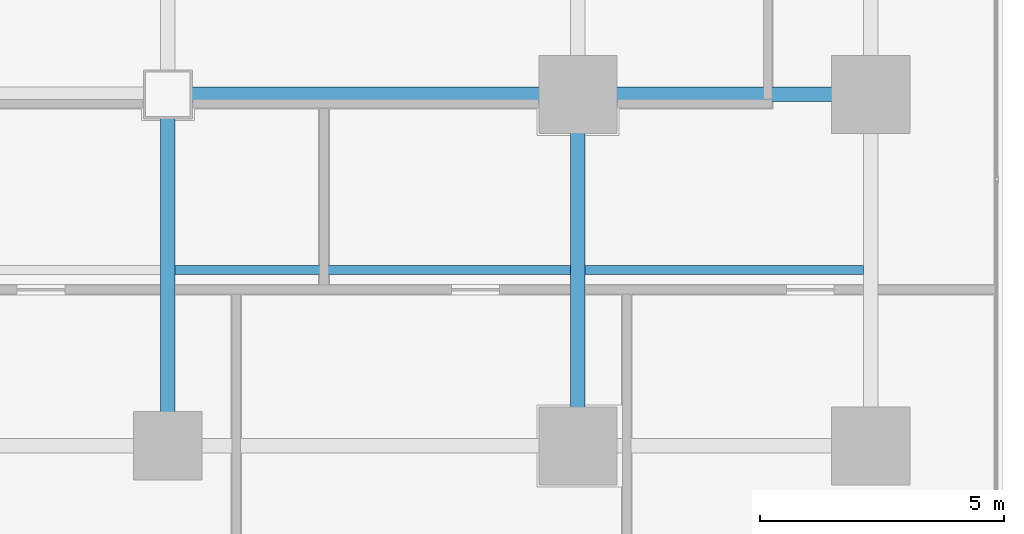
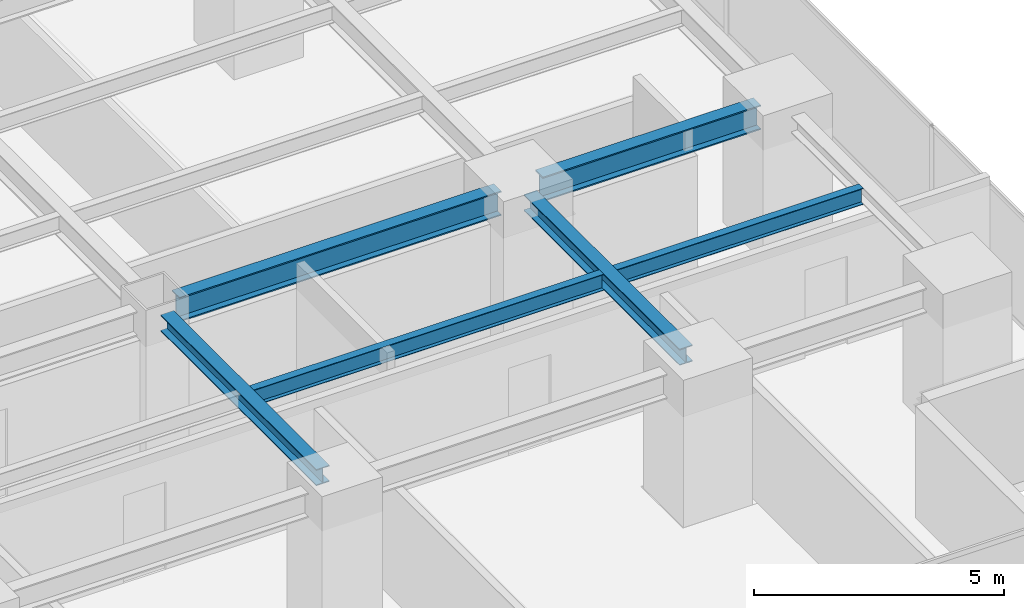
# One storey, part 13 of 37: 6 beams.
"""IFC4 building model written with IfcOpenShell, lengths in metres."""

from ifc_helpers import new_model, si_unit, direction, frame, origin, origin_2d, place, context, subcontext, project, spatial, i_section, extrude, source, transform, mapped, material, material_profile, profile_set, type_object, element, save


model = new_model("IFC4")

# Units and contexts
model_context = context("Model", 3, precision=1e-05, world=origin(), true_north=direction((0.0, 1.0)))
body_context = subcontext(model_context, "Body", "Model", "MODEL_VIEW")
ifc_project = project(units=[si_unit("LENGTHUNIT", "METRE"), si_unit("AREAUNIT", "SQUARE_METRE"), si_unit("VOLUMEUNIT", "CUBIC_METRE"), si_unit("PLANEANGLEUNIT", "RADIAN"), si_unit("MASSUNIT", "GRAM", prefix="KILO")], contexts=[model_context])

# Site, building, storey
site_placement = place(None, origin())
site = spatial("IfcSite", under=ifc_project, at=site_placement, CompositionType="ELEMENT")
building_placement = place(site_placement, origin())
building = spatial("IfcBuilding", under=site, at=building_placement, Name="Sumidabori Civic Tower", CompositionType="ELEMENT")
storey_placement = place(building_placement, frame((0.0, 0.0, 117.199951171875)))
storey = spatial("IfcBuildingStorey", under=building, at=storey_placement, Name="L30", CompositionType="ELEMENT", Elevation=117.199951171875)

# Beams
ifc_material = material(Name="Steel SN490", Category="steel")
ifc_material_profile_1 = material_profile(ifc_material, i_section(OverallWidth=0.300048828125, OverallDepth=0.60009765625, WebThickness=0.015380859375, FlangeThickness=0.030029296875, at=origin_2d()), Name="HE 600 B")
ifc_profile_set_1 = profile_set([ifc_material_profile_1], Name="Steel SN490")
beam_type_1 = type_object("IfcBeamType", Name="BM-GIRD-600", PredefinedType="BEAM", material=ifc_profile_set_1)
shared_shape_1 = source(origin(), body_context, "Body", "SweptSolid", [
    extrude(i_section(OverallWidth=0.300048828125, OverallDepth=0.60009765625, WebThickness=0.015380859375, FlangeThickness=0.030029296875, at=origin_2d()), origin(), (0.0, 0.0, 1.0), 5.0400390625),
])
beam_1_placement = place(storey_placement, frame((17.280029296875, -10.800048828125, 3.06005859375), z_axis=(1.0, 0.0, 0.0), x_axis=(0.0, 1.0, 0.0)))
element("IfcBeam", 1, at=beam_1_placement, inside=storey, type_object=beam_type_1, Name="Primary Girder L30 GX-12", PredefinedType="BEAM", context=body_context, shape_type="MappedRepresentation", body=[
    mapped(shared_shape_1, transform((0.0, 0.0, 0.0), x_axis=(1.0, 0.0, 0.0), y_axis=(0.0, 1.0, 0.0), z_axis=(0.0, 0.0, 1.0), scale=1.0)),
])
shared_shape_2 = source(origin(), body_context, "Body", "SweptSolid", [
    extrude(i_section(OverallWidth=0.300048828125, OverallDepth=0.60009765625, WebThickness=0.015380859375, FlangeThickness=0.030029296875, at=origin_2d()), origin(), (0.0, 0.0, 1.0), 7.440185546875),
])
beam_2_placement = place(storey_placement, frame((8.8798828125, -10.800048828125, 3.06005859375), z_axis=(1.0, 0.0, 0.0), x_axis=(0.0, 1.0, 0.0)))
element("IfcBeam", 2, at=beam_2_placement, inside=storey, type_object=beam_type_1, Name="Primary Girder L30 GX-11", PredefinedType="BEAM", context=body_context, shape_type="MappedRepresentation", body=[
    mapped(shared_shape_2, transform((0.0, 0.0, 0.0), x_axis=(1.0, 0.0, 0.0), y_axis=(0.0, 1.0, 0.0), z_axis=(0.0, 0.0, 1.0), scale=1.0)),
])
ifc_material_profile_2 = material_profile(ifc_material, i_section(OverallWidth=0.300048828125, OverallDepth=0.39990234375, WebThickness=0.013427734375, FlangeThickness=0.02392578125, at=origin_2d()), Name="HE 400 B")
ifc_profile_set_2 = profile_set([ifc_material_profile_2], Name="Steel SN490")
beam_type_2 = type_object("IfcBeamType", Name="BM-GIRD-400", PredefinedType="BEAM", material=ifc_profile_set_2)
shared_shape_3 = source(origin(), body_context, "Body", "SweptSolid", [
    extrude(i_section(OverallWidth=0.300048828125, OverallDepth=0.39990234375, WebThickness=0.013427734375, FlangeThickness=0.02392578125, at=origin_2d()), origin(), (0.0, 0.0, 1.0), 6.239990234375),
])
for number, where, z_axis, x_axis, name in (
    (3, (8.39990234375, -17.52001953125, 3.16015625), (0.0, 1.0, 0.0), (-1.0, 0.0, 0.0), "Primary Girder L30 GY-33"),
    (4, (16.800048828125, -17.52001953125, 3.16015625), (0.0, 1.0, 0.0), (-1.0, 0.0, 0.0), "Primary Girder L30 GY-35"),
):
    element("IfcBeam", number, at=place(storey_placement, frame(where, z_axis=z_axis, x_axis=x_axis)), inside=storey, type_object=beam_type_2, Name=name, PredefinedType="BEAM", context=body_context, shape_type="MappedRepresentation", body=[
        mapped(shared_shape_3, transform((0.0, 0.0, 0.0), x_axis=(1.0, 0.0, 0.0), y_axis=(0.0, 1.0, 0.0), z_axis=(0.0, 0.0, 1.0), scale=1.0)),
    ])
ifc_material_profile_3 = material_profile(ifc_material, i_section(OverallWidth=0.179931640625, OverallDepth=0.39990234375, WebThickness=0.008544921875, FlangeThickness=0.013427734375, at=origin_2d()), Name="IPE 400")
ifc_profile_set_3 = profile_set([ifc_material_profile_3], Name="Steel SN490")
beam_type_3 = type_object("IfcBeamType", Name="BM-JST-400", PredefinedType="JOIST", material=ifc_profile_set_3)
shared_shape_4 = source(origin(), body_context, "Body", "SweptSolid", [
    extrude(i_section(OverallWidth=0.179931640625, OverallDepth=0.39990234375, WebThickness=0.008544921875, FlangeThickness=0.013427734375, at=origin_2d()), origin(), (0.0, 0.0, 1.0), 5.699951171875),
])
beam_3_placement = place(storey_placement, frame((16.949951171875, -14.39990234375, 3.16015625), z_axis=(1.0, 0.0, 0.0), x_axis=(0.0, 1.0, 0.0)))
element("IfcBeam", 5, at=beam_3_placement, inside=storey, type_object=beam_type_3, Name="Outer Bay Floor Joist L30 JSTO-52", PredefinedType="JOIST", context=body_context, shape_type="MappedRepresentation", body=[
    mapped(shared_shape_4, transform((0.0, 0.0, 0.0), x_axis=(1.0, 0.0, 0.0), y_axis=(0.0, 1.0, 0.0), z_axis=(0.0, 0.0, 1.0), scale=1.0)),
])
shared_shape_5 = source(origin(), body_context, "Body", "SweptSolid", [
    extrude(i_section(OverallWidth=0.179931640625, OverallDepth=0.39990234375, WebThickness=0.008544921875, FlangeThickness=0.013427734375, at=origin_2d()), origin(), (0.0, 0.0, 1.0), 8.099853515625),
])
beam_4_placement = place(storey_placement, frame((8.550048828125, -14.39990234375, 3.16015625), z_axis=(1.0, 0.0, 0.0), x_axis=(0.0, 1.0, 0.0)))
element("IfcBeam", 6, at=beam_4_placement, inside=storey, type_object=beam_type_3, Name="South Bay Floor Joist L30 JSTS-58", PredefinedType="JOIST", context=body_context, shape_type="MappedRepresentation", body=[
    mapped(shared_shape_5, transform((0.0, 0.0, 0.0), x_axis=(1.0, 0.0, 0.0), y_axis=(0.0, 1.0, 0.0), z_axis=(0.0, 0.0, 1.0), scale=1.0)),
])

save(model, "model.ifc")
